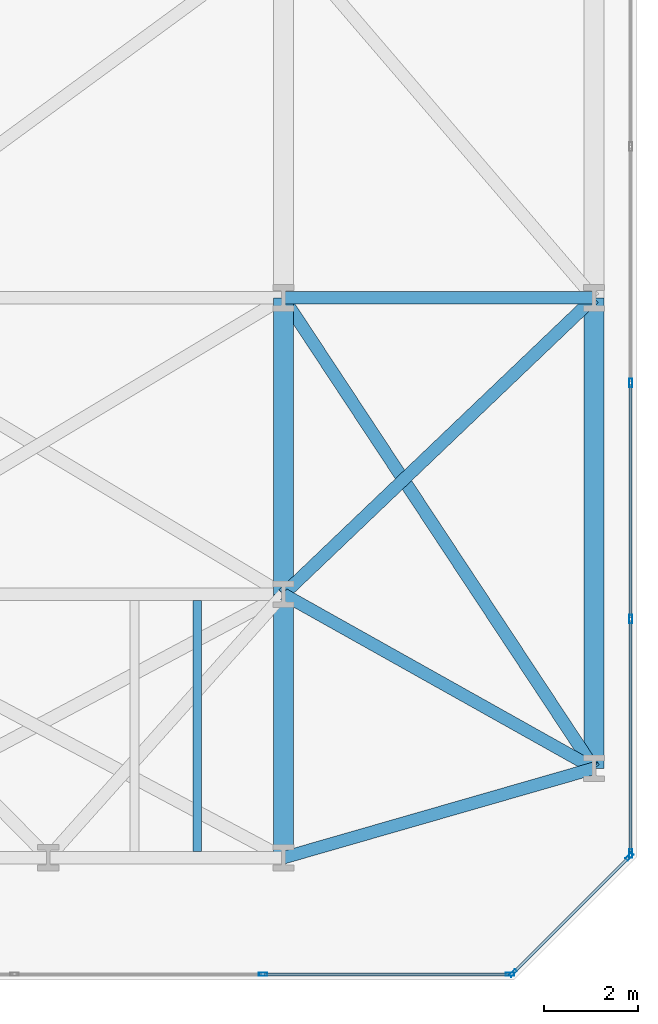
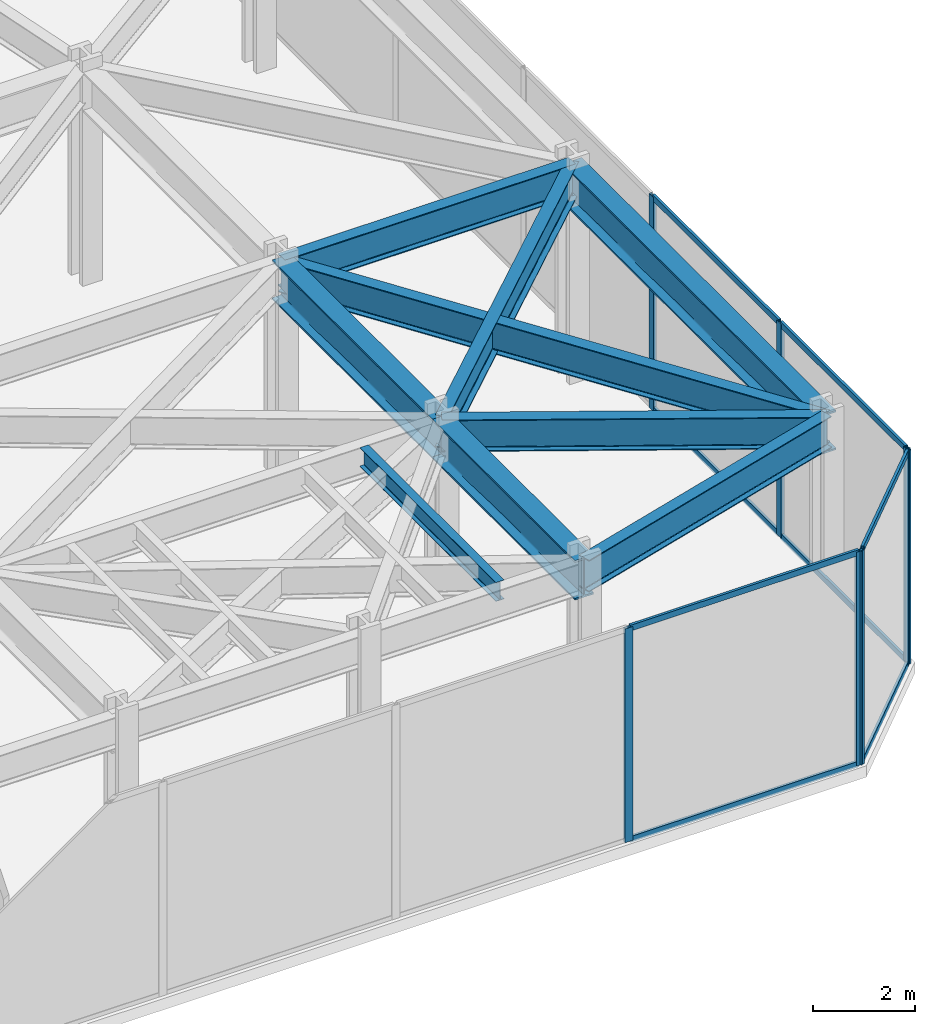
# One storey, part 21 of 29: 15 members, 9 beams, 3 elements without a shape of their own.
"""IFC4 building model written with IfcOpenShell, lengths in metres."""

from ifc_helpers import new_model, si_unit, direction, frame, origin, origin_2d, place, context, subcontext, project, spatial, hollow_rectangle, i_section, extrude, material, layer, layer_set, material_profile, profile_set, type_object, element, aggregate, save


model = new_model("IFC4")

# Units and contexts
model_context = context("Model", 3, precision=1e-05, world=origin(), true_north=direction((0.0, 1.0)))
body_context = subcontext(model_context, "Body", "Model", "MODEL_VIEW")
ifc_project = project(units=[si_unit("LENGTHUNIT", "METRE"), si_unit("AREAUNIT", "SQUARE_METRE"), si_unit("VOLUMEUNIT", "CUBIC_METRE"), si_unit("PLANEANGLEUNIT", "RADIAN"), si_unit("MASSUNIT", "GRAM", prefix="KILO")], contexts=[model_context])

# Site, building, storey
site_placement = place(None, origin())
site = spatial("IfcSite", under=ifc_project, at=site_placement, CompositionType="ELEMENT")
building_placement = place(site_placement, origin())
building = spatial("IfcBuilding", under=site, at=building_placement, Name="Kravanh Interchange Tower", CompositionType="ELEMENT")
storey_placement = place(building_placement, frame((0.0, 0.0, 5.39990234375)))
storey = spatial("IfcBuildingStorey", under=building, at=storey_placement, Name="L01", CompositionType="ELEMENT", Elevation=5.39990234375)

# Curtain wall, members
ifc_material_1 = material(Name="Anodised Bronze Aluminium", Category="aluminium")
ifc_layer = layer(ifc_material_1, 0.179931640625)
ifc_layer_set = layer_set([ifc_layer], Name="Unitised Curtain Wall System CW-POD Podium Concourse")
curtain_wall_type = type_object("IfcCurtainWallType", Name="Unitised Curtain Wall System CW-POD Podium Concourse", PredefinedType="NOTDEFINED", material=ifc_layer_set)
curtain_wall_1_placement = place(storey_placement, origin())
curtain_wall_1 = element("IfcCurtainWall", 1, at=curtain_wall_1_placement, inside=storey, type_object=curtain_wall_type, Name="L01 Unitised Curtain Wall CW-L01-02", PredefinedType="NOTDEFINED")
ifc_material_2 = material(Name="Anodised Bronze Aluminium", Category="aluminium")
ifc_material_profile_1 = material_profile(ifc_material_2, hollow_rectangle(XDim=0.070068359375, YDim=0.179931640625, WallThickness=0.00390625, at=origin_2d()), Name="ALU70X180X4")
ifc_profile_set_1 = profile_set([ifc_material_profile_1], Name="Anodised Bronze Aluminium")
member_type_1 = type_object("IfcMemberType", Name="Curtain Wall Mullion ALU70X180X4 Bronze", PredefinedType="MULLION", material=ifc_profile_set_1)
member_1_placement = place(storey_placement, frame((73.8798828125, 12.692626953125, 0.0), z_axis=(0.0, 0.0, 1.0), x_axis=(1.0, 0.0, 0.0)))
member_1 = element("IfcMember", 2, at=member_1_placement, type_object=member_type_1, Name="CW-POD mullion 6", PredefinedType="MULLION", context=body_context, shape_type="SweptSolid", body=[
    extrude(hollow_rectangle(XDim=0.070068359375, YDim=0.179931640625, WallThickness=0.00390625, at=origin_2d()), origin(), (0.0, 0.0, 1.0), 5.130126953125),
])
member_2_placement = place(storey_placement, frame((73.8798828125, 7.671142578125, 0.0), z_axis=(0.0, 0.0, 1.0), x_axis=(1.0, 0.0, 0.0)))
member_2 = element("IfcMember", 3, at=member_2_placement, type_object=member_type_1, Name="CW-POD mullion 7", PredefinedType="MULLION", context=body_context, shape_type="SweptSolid", body=[
    extrude(hollow_rectangle(XDim=0.070068359375, YDim=0.179931640625, WallThickness=0.00390625, at=origin_2d()), origin(), (0.0, 0.0, 1.0), 5.130126953125),
])
member_3_placement = place(storey_placement, frame((73.8798828125, 2.684814453125, 0.0), z_axis=(0.0, 0.0, 1.0), x_axis=(1.0, 0.0, 0.0)))
member_3 = element("IfcMember", 4, at=member_3_placement, type_object=member_type_1, Name="CW-POD mullion 8", PredefinedType="MULLION", context=body_context, shape_type="SweptSolid", body=[
    extrude(hollow_rectangle(XDim=0.070068359375, YDim=0.179931640625, WallThickness=0.00390625, at=origin_2d()), origin(), (0.0, 0.0, 1.0), 5.130126953125),
])

curtain_wall_2_placement = place(storey_placement, origin())
curtain_wall_2 = element("IfcCurtainWall", 5, at=curtain_wall_2_placement, inside=storey, type_object=curtain_wall_type, Name="L01 Unitised Curtain Wall CW-L01-03", PredefinedType="NOTDEFINED")
member_4_placement = place(storey_placement, frame((73.855224609375, 2.625, 0.0), z_axis=(0.0, 0.0, 1.0), x_axis=(0.707106781187, -0.707106781187, 0.0)))
member_4 = element("IfcMember", 6, at=member_4_placement, type_object=member_type_1, Name="CW-POD mullion 1", PredefinedType="MULLION", context=body_context, shape_type="SweptSolid", body=[
    extrude(hollow_rectangle(XDim=0.070068359375, YDim=0.179931640625, WallThickness=0.00390625, at=origin_2d()), origin(), (0.0, 0.0, 1.0), 5.130126953125),
])
member_5_placement = place(storey_placement, frame((71.375, 0.144775390625, 0.0), z_axis=(0.0, 0.0, 1.0), x_axis=(0.707106781187, -0.707106781187, 0.0)))
member_5 = element("IfcMember", 7, at=member_5_placement, type_object=member_type_1, Name="CW-POD mullion 2", PredefinedType="MULLION", context=body_context, shape_type="SweptSolid", body=[
    extrude(hollow_rectangle(XDim=0.070068359375, YDim=0.179931640625, WallThickness=0.00390625, at=origin_2d()), origin(), (0.0, 0.0, 1.0), 5.130126953125),
])

curtain_wall_3_placement = place(storey_placement, origin())
curtain_wall_3 = element("IfcCurtainWall", 8, at=curtain_wall_3_placement, inside=storey, type_object=curtain_wall_type, Name="L01 Unitised Curtain Wall CW-L01-04", PredefinedType="NOTDEFINED")
member_6_placement = place(storey_placement, frame((71.315185546875, 0.1201171875, 0.0), z_axis=(0.0, 0.0, 1.0), x_axis=(0.0, -1.0, 0.0)))
member_6 = element("IfcMember", 9, at=member_6_placement, type_object=member_type_1, Name="CW-POD mullion 1", PredefinedType="MULLION", context=body_context, shape_type="SweptSolid", body=[
    extrude(hollow_rectangle(XDim=0.070068359375, YDim=0.179931640625, WallThickness=0.00390625, at=origin_2d()), origin(), (0.0, 0.0, 1.0), 5.130126953125),
])
member_7_placement = place(storey_placement, frame((66.065673828125, 0.1201171875, 0.0), z_axis=(0.0, 0.0, 1.0), x_axis=(0.0, -1.0, 0.0)))
member_7 = element("IfcMember", 10, at=member_7_placement, type_object=member_type_1, Name="CW-POD mullion 2", PredefinedType="MULLION", context=body_context, shape_type="SweptSolid", body=[
    extrude(hollow_rectangle(XDim=0.070068359375, YDim=0.179931640625, WallThickness=0.00390625, at=origin_2d()), origin(), (0.0, 0.0, 1.0), 5.130126953125),
])

# Member
ifc_material_3 = material(Name="Anodised Bronze Aluminium", Category="aluminium")
ifc_material_profile_2 = material_profile(ifc_material_3, hollow_rectangle(XDim=0.06005859375, YDim=0.139892578125, WallThickness=0.00390625, at=origin_2d()), Name="ALU60X140X4")
ifc_profile_set_2 = profile_set([ifc_material_profile_2], Name="Anodised Bronze Aluminium")
member_type_2 = type_object("IfcMemberType", Name="Curtain Wall Transom ALU60X140X4 Bronze", PredefinedType="USERDEFINED", material=ifc_profile_set_2)
member_8_placement = place(storey_placement, frame((73.8798828125, 12.65771484375, 0.030029296875), z_axis=(0.0, -1.0, 0.0), x_axis=(1.0, 0.0, 0.0)))
member_8 = element("IfcMember", 11, at=member_8_placement, type_object=member_type_2, Name="CW-POD transom 6.1", ObjectType="TRANSOM", PredefinedType="USERDEFINED", context=body_context, shape_type="SweptSolid", body=[
    extrude(hollow_rectangle(XDim=0.06005859375, YDim=0.139892578125, WallThickness=0.00390625, at=origin_2d()), origin(), (0.0, 0.0, 1.0), 4.95166015625),
])

member_9_placement = place(storey_placement, frame((73.8798828125, 12.65771484375, 5.10009765625), z_axis=(0.0, -1.0, 0.0), x_axis=(1.0, 0.0, 0.0)))
member_9 = element("IfcMember", 12, at=member_9_placement, type_object=member_type_2, Name="CW-POD transom 6.2", ObjectType="TRANSOM", PredefinedType="USERDEFINED", context=body_context, shape_type="SweptSolid", body=[
    extrude(hollow_rectangle(XDim=0.06005859375, YDim=0.139892578125, WallThickness=0.00390625, at=origin_2d()), origin(), (0.0, 0.0, 1.0), 4.95166015625),
])

member_10_placement = place(storey_placement, frame((73.8798828125, 7.63623046875, 0.030029296875), z_axis=(0.0, -1.0, 0.0), x_axis=(1.0, 0.0, 0.0)))
member_10 = element("IfcMember", 13, at=member_10_placement, type_object=member_type_2, Name="CW-POD transom 7.1", ObjectType="TRANSOM", PredefinedType="USERDEFINED", context=body_context, shape_type="SweptSolid", body=[
    extrude(hollow_rectangle(XDim=0.06005859375, YDim=0.139892578125, WallThickness=0.00390625, at=origin_2d()), origin(), (0.0, 0.0, 1.0), 4.91650390625),
])

member_11_placement = place(storey_placement, frame((73.8798828125, 7.63623046875, 5.10009765625), z_axis=(0.0, -1.0, 0.0), x_axis=(1.0, 0.0, 0.0)))
member_11 = element("IfcMember", 14, at=member_11_placement, type_object=member_type_2, Name="CW-POD transom 7.2", ObjectType="TRANSOM", PredefinedType="USERDEFINED", context=body_context, shape_type="SweptSolid", body=[
    extrude(hollow_rectangle(XDim=0.06005859375, YDim=0.139892578125, WallThickness=0.00390625, at=origin_2d()), origin(), (0.0, 0.0, 1.0), 4.91650390625),
])

aggregate(curtain_wall_1, [member_1, member_2, member_3, member_8, member_9, member_10, member_11])

member_12_placement = place(storey_placement, frame((73.83056640625, 2.60009765625, 0.030029296875), z_axis=(-0.707106781187, -0.707106781187, 0.0), x_axis=(0.707106781187, -0.707106781187, 0.0)))
member_12 = element("IfcMember", 15, at=member_12_placement, type_object=member_type_2, Name="CW-POD transom 1.1", ObjectType="TRANSOM", PredefinedType="USERDEFINED", context=body_context, shape_type="SweptSolid", body=[
    extrude(hollow_rectangle(XDim=0.06005859375, YDim=0.139892578125, WallThickness=0.00390625, at=origin_2d()), origin(), (0.0, 0.0, 1.0), 3.4375),
])

member_13_placement = place(storey_placement, frame((73.83056640625, 2.60009765625, 5.10009765625), z_axis=(-0.707106781187, -0.707106781187, 0.0), x_axis=(0.707106781187, -0.707106781187, 0.0)))
member_13 = element("IfcMember", 16, at=member_13_placement, type_object=member_type_2, Name="CW-POD transom 1.2", ObjectType="TRANSOM", PredefinedType="USERDEFINED", context=body_context, shape_type="SweptSolid", body=[
    extrude(hollow_rectangle(XDim=0.06005859375, YDim=0.139892578125, WallThickness=0.00390625, at=origin_2d()), origin(), (0.0, 0.0, 1.0), 3.4375),
])

aggregate(curtain_wall_2, [member_4, member_5, member_12, member_13])

member_14_placement = place(storey_placement, frame((71.2802734375, 0.1201171875, 0.030029296875), z_axis=(-1.0, 0.0, 0.0), x_axis=(0.0, -1.0, 0.0)))
member_14 = element("IfcMember", 17, at=member_14_placement, type_object=member_type_2, Name="CW-POD transom 1.1", ObjectType="TRANSOM", PredefinedType="USERDEFINED", context=body_context, shape_type="SweptSolid", body=[
    extrude(hollow_rectangle(XDim=0.06005859375, YDim=0.139892578125, WallThickness=0.00390625, at=origin_2d()), origin(), (0.0, 0.0, 1.0), 5.1796875),
])

member_15_placement = place(storey_placement, frame((71.2802734375, 0.1201171875, 5.10009765625), z_axis=(-1.0, 0.0, 0.0), x_axis=(0.0, -1.0, 0.0)))
member_15 = element("IfcMember", 18, at=member_15_placement, type_object=member_type_2, Name="CW-POD transom 1.2", ObjectType="TRANSOM", PredefinedType="USERDEFINED", context=body_context, shape_type="SweptSolid", body=[
    extrude(hollow_rectangle(XDim=0.06005859375, YDim=0.139892578125, WallThickness=0.00390625, at=origin_2d()), origin(), (0.0, 0.0, 1.0), 5.1796875),
])

aggregate(curtain_wall_3, [member_6, member_7, member_14, member_15])

# Beams
ifc_material_4 = material(Name="Structural Steel S450", Category="steel")
ifc_material_profile_3 = material_profile(ifc_material_4, i_section(OverallWidth=0.423095703125, OverallDepth=0.947998046875, WebThickness=0.02392578125, FlangeThickness=0.042724609375, FilletRadius=0.028076171875, at=origin_2d()), Name="W36X302")
ifc_profile_set_3 = profile_set([ifc_material_profile_3], Name="Structural Steel S450")
beam_type_1 = type_object("IfcBeamType", Name="Floor Beam W36X302 Structural Steel S450", PredefinedType="BEAM", material=ifc_profile_set_3)
beam_1_placement = place(storey_placement, frame((66.5, 2.60009765625, 4.656005859375), z_axis=(0.0, 1.0, 0.0), x_axis=(-1.0, 0.0, 0.0)))
element("IfcBeam", 19, at=beam_1_placement, inside=storey, type_object=beam_type_1, Name="L01 Primary Floor Girder 20", PredefinedType="BEAM", context=body_context, shape_type="SweptSolid", body=[
    extrude(i_section(OverallWidth=0.423095703125, OverallDepth=0.947998046875, WebThickness=0.02392578125, FlangeThickness=0.042724609375, FilletRadius=0.028076171875, at=origin_2d()), origin(), (0.0, 0.0, 1.0), 5.599853515625),
])
beam_2_placement = place(storey_placement, frame((66.5, 8.199951171875, 4.656005859375), z_axis=(0.0, 1.0, 0.0), x_axis=(-1.0, 0.0, 0.0)))
element("IfcBeam", 20, at=beam_2_placement, inside=storey, type_object=beam_type_1, Name="L01 Primary Floor Girder 33", PredefinedType="BEAM", context=body_context, shape_type="SweptSolid", body=[
    extrude(i_section(OverallWidth=0.423095703125, OverallDepth=0.947998046875, WebThickness=0.02392578125, FlangeThickness=0.042724609375, FilletRadius=0.028076171875, at=origin_2d()), origin(), (0.0, 0.0, 1.0), 6.300048828125),
])
beam_3_placement = place(storey_placement, frame((73.10009765625, 4.5, 4.656005859375), z_axis=(0.0, 1.0, 0.0), x_axis=(-1.0, 0.0, 0.0)))
element("IfcBeam", 21, at=beam_3_placement, inside=storey, type_object=beam_type_1, Name="L01 Primary Floor Girder 127", PredefinedType="BEAM", context=body_context, shape_type="SweptSolid", body=[
    extrude(i_section(OverallWidth=0.423095703125, OverallDepth=0.947998046875, WebThickness=0.02392578125, FlangeThickness=0.042724609375, FilletRadius=0.028076171875, at=origin_2d()), origin(), (0.0, 0.0, 1.0), 10.0),
])
ifc_material_5 = material(Name="Structural Steel S355", Category="steel")
ifc_material_profile_4 = material_profile(ifc_material_5, i_section(OverallWidth=0.18994140625, OverallDepth=0.45703125, WebThickness=0.009033203125, FlangeThickness=0.014404296875, FilletRadius=0.01806640625, at=origin_2d()), Name="W18X50")
ifc_profile_set_4 = profile_set([ifc_material_profile_4], Name="Structural Steel S355")
beam_type_2 = type_object("IfcBeamType", Name="Floor Joist W18X50 Structural Steel S355", PredefinedType="JOIST", material=ifc_profile_set_4)
beam_4_placement = place(storey_placement, frame((64.666015625, 2.728515625, 4.901611328125), z_axis=(0.0, 1.0, 0.0), x_axis=(-1.0, 0.0, 0.0)))
element("IfcBeam", 22, at=beam_4_placement, inside=storey, type_object=beam_type_2, Name="L01 Secondary Floor Joist 12", PredefinedType="JOIST", context=body_context, shape_type="SweptSolid", body=[
    extrude(i_section(OverallWidth=0.18994140625, OverallDepth=0.45703125, WebThickness=0.009033203125, FlangeThickness=0.014404296875, FilletRadius=0.01806640625, at=origin_2d()), origin(), (0.0, 0.0, 1.0), 5.343017578125),
])
ifc_material_6 = material(Name="Structural Steel S355", Category="steel")
ifc_material_profile_5 = material_profile(ifc_material_6, i_section(OverallWidth=0.26708984375, OverallDepth=0.761962890625, WebThickness=0.014404296875, FlangeThickness=0.021484375, FilletRadius=0.02490234375, at=origin_2d()), Name="W30X116")
ifc_profile_set_5 = profile_set([ifc_material_profile_5], Name="Structural Steel S355")
beam_type_3 = type_object("IfcBeamType", Name="Floor Spandrel W30X116 Structural Steel S355", PredefinedType="SPANDREL", material=ifc_profile_set_5)
beam_5_placement = place(storey_placement, frame((66.5, 2.60009765625, 4.7490234375), z_axis=(0.960977451506, 0.27662671183, 0.0), x_axis=(-0.27662671183, 0.960977451506, 0.0)))
element("IfcBeam", 23, at=beam_5_placement, inside=storey, type_object=beam_type_3, Name="L01 Perimeter Spandrel 21", PredefinedType="SPANDREL", context=body_context, shape_type="SweptSolid", body=[
    extrude(i_section(OverallWidth=0.26708984375, OverallDepth=0.761962890625, WebThickness=0.014404296875, FlangeThickness=0.021484375, FilletRadius=0.02490234375, at=origin_2d()), origin(), (0.0, 0.0, 1.0), 6.8681640625),
])
beam_6_placement = place(storey_placement, frame((66.5, 8.199951171875, 4.7490234375), z_axis=(0.872286391466, -0.488995348918, 0.0), x_axis=(0.488995348918, 0.872286391466, 0.0)))
element("IfcBeam", 24, at=beam_6_placement, inside=storey, type_object=beam_type_3, Name="L01 Perimeter Spandrel 34", PredefinedType="SPANDREL", context=body_context, shape_type="SweptSolid", body=[
    extrude(i_section(OverallWidth=0.26708984375, OverallDepth=0.761962890625, WebThickness=0.014404296875, FlangeThickness=0.021484375, FilletRadius=0.02490234375, at=origin_2d()), origin(), (0.0, 0.0, 1.0), 7.56640625),
])
beam_7_placement = place(storey_placement, frame((66.5, 8.199951171875, 4.7490234375), z_axis=(0.723357973995, 0.690473201115, 0.0), x_axis=(-0.690473201115, 0.723357973995, 0.0)))
element("IfcBeam", 25, at=beam_7_placement, inside=storey, type_object=beam_type_3, Name="L01 Perimeter Spandrel 35", PredefinedType="SPANDREL", context=body_context, shape_type="SweptSolid", body=[
    extrude(i_section(OverallWidth=0.26708984375, OverallDepth=0.761962890625, WebThickness=0.014404296875, FlangeThickness=0.021484375, FilletRadius=0.02490234375, at=origin_2d()), origin(), (0.0, 0.0, 1.0), 9.124267578125),
])
beam_8_placement = place(storey_placement, frame((66.5, 14.5, 4.7490234375), z_axis=(1.0, 0.0, 0.0), x_axis=(0.0, 1.0, 0.0)))
element("IfcBeam", 26, at=beam_8_placement, inside=storey, type_object=beam_type_3, Name="L01 Perimeter Spandrel 53", PredefinedType="SPANDREL", context=body_context, shape_type="SweptSolid", body=[
    extrude(i_section(OverallWidth=0.26708984375, OverallDepth=0.761962890625, WebThickness=0.014404296875, FlangeThickness=0.021484375, FilletRadius=0.02490234375, at=origin_2d()), origin(), (0.0, 0.0, 1.0), 6.60009765625),
])
beam_9_placement = place(storey_placement, frame((66.5, 14.5, 4.7490234375), z_axis=(0.550847885697, -0.834605659472, 0.0), x_axis=(0.834605659472, 0.550847885697, 0.0)))
element("IfcBeam", 27, at=beam_9_placement, inside=storey, type_object=beam_type_3, Name="L01 Perimeter Spandrel 55", PredefinedType="SPANDREL", context=body_context, shape_type="SweptSolid", body=[
    extrude(i_section(OverallWidth=0.26708984375, OverallDepth=0.761962890625, WebThickness=0.014404296875, FlangeThickness=0.021484375, FilletRadius=0.02490234375, at=origin_2d()), origin(), (0.0, 0.0, 1.0), 11.981689453125),
])

save(model, "model.ifc")
